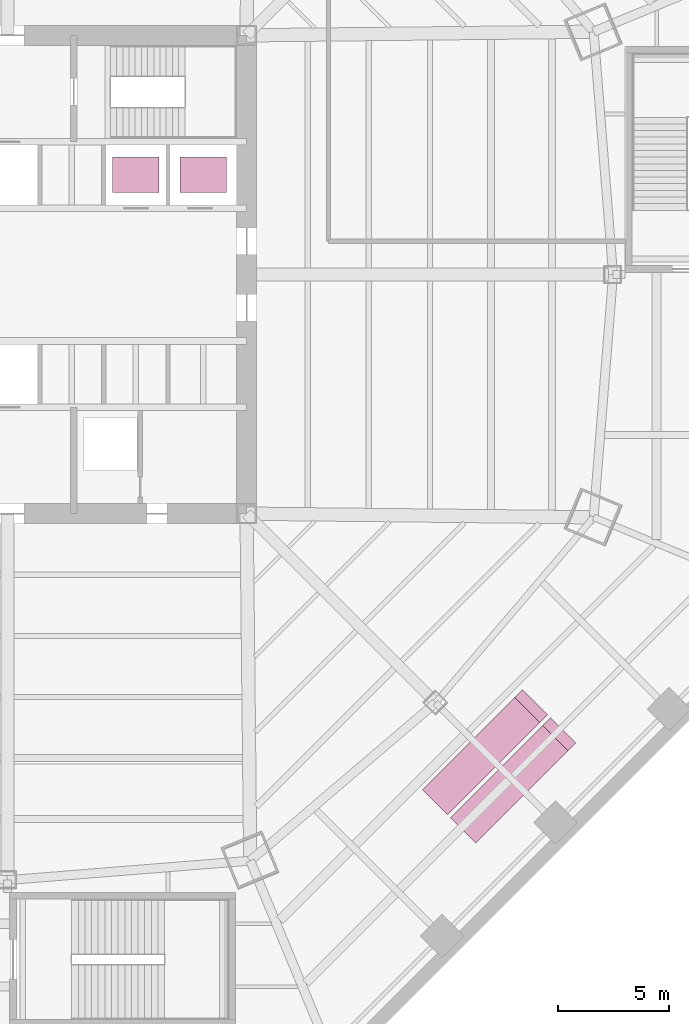
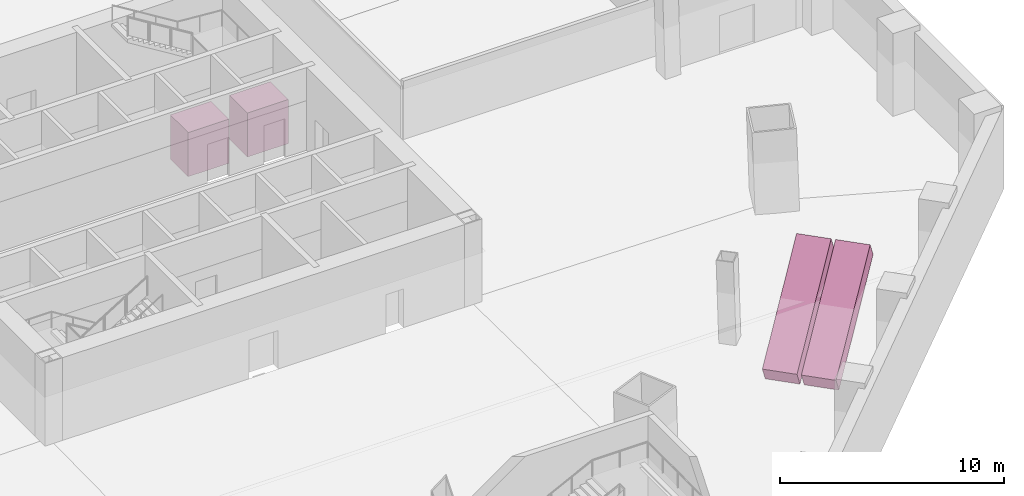
# One storey, part 15 of 15: 4 transport elements.
"""IFC4 building model written with IfcOpenShell, lengths in metres."""

from ifc_helpers import new_model, si_unit, direction, frame, origin, origin_2d, place, context, subcontext, project, spatial, rectangle, extrude, material, type_object, element, save


model = new_model("IFC4")

# Units and contexts
model_context = context("Model", 3, precision=1e-05, world=origin(), true_north=direction((0.0, 1.0)))
body_context = subcontext(model_context, "Body", "Model", "MODEL_VIEW")
ifc_project = project(units=[si_unit("LENGTHUNIT", "METRE"), si_unit("AREAUNIT", "SQUARE_METRE"), si_unit("VOLUMEUNIT", "CUBIC_METRE"), si_unit("PLANEANGLEUNIT", "RADIAN"), si_unit("MASSUNIT", "GRAM", prefix="KILO")], contexts=[model_context])

# Site, building, storey
site_placement = place(None, origin())
site = spatial("IfcSite", under=ifc_project, at=site_placement, CompositionType="ELEMENT")
building_placement = place(site_placement, origin())
building = spatial("IfcBuilding", under=site, at=building_placement, Name="Mashrafa Tower", CompositionType="ELEMENT")
storey_placement = place(building_placement, frame((0.0, 0.0, -4.5)))
storey = spatial("IfcBuildingStorey", under=building, at=storey_placement, Name="B1", CompositionType="ELEMENT", Elevation=-4.5)

# Transport elements
ifc_material_1 = material(Name="Steel escalator truss", Category="steel")
transport_element_type_1 = type_object("IfcTransportElementType", Name="Escalator 1000 step 30 degree", PredefinedType="ESCALATOR", material=ifc_material_1)
transport_element_1_placement = place(storey_placement, frame((19.482666015625, -23.65087890625, 0.550048828125), z_axis=(0.612374257094, 0.612374257094, 0.499995538478), x_axis=(-0.707106781187, 0.707106781187, 0.0)))
element("IfcTransportElement", 1, at=transport_element_1_placement, inside=storey, type_object=transport_element_type_1, Name="Escalator B1 to L00 up", PredefinedType="ESCALATOR", context=body_context, shape_type="SweptSolid", body=[
    extrude(rectangle(XDim=1.60009765625, YDim=1.0, at=origin_2d()), origin(), (0.0, 0.0, 1.0), 6.7998046875),
])
transport_element_2_placement = place(storey_placement, frame((20.75537109375, -24.923583984375, 0.550048828125), z_axis=(0.612396696113, 0.612360793159, 0.499984545352), x_axis=(-0.707086052516, 0.70712750925, 0.0)))
element("IfcTransportElement", 2, at=transport_element_2_placement, inside=storey, type_object=transport_element_type_1, Name="Escalator B1 to L00 down", PredefinedType="ESCALATOR", context=body_context, shape_type="SweptSolid", body=[
    extrude(rectangle(XDim=1.60009765625, YDim=1.0, at=origin_2d()), origin(), (0.0, 0.0, 1.0), 6.800048828125),
])
ifc_material_2 = material(Name="Steel lift car", Category="steel")
transport_element_type_2 = type_object("IfcTransportElementType", Name="Passenger lift 1600 kg car 2100 x 1600", PredefinedType="ELEVATOR", material=ifc_material_2)
for number, where, z_axis, x_axis, name in (
    (3, (5.800048828125, 4.5, 0.0), (0.0, 0.0, 1.0), (1.0, 0.0, 0.0), "Passenger lift K1"),
    (4, (8.85009765625, 4.5, 0.0), (0.0, 0.0, 1.0), (1.0, 0.0, 0.0), "Passenger lift K2"),
):
    element("IfcTransportElement", number, at=place(storey_placement, frame(where, z_axis=z_axis, x_axis=x_axis)), inside=storey, type_object=transport_element_type_2, Name=name, PredefinedType="ELEVATOR", context=body_context, shape_type="SweptSolid", body=[
        extrude(rectangle(XDim=2.10009765625, YDim=1.60009765625, at=origin_2d()), origin(), (0.0, 0.0, 1.0), 2.39990234375),
    ])

save(model, "model.ifc")
